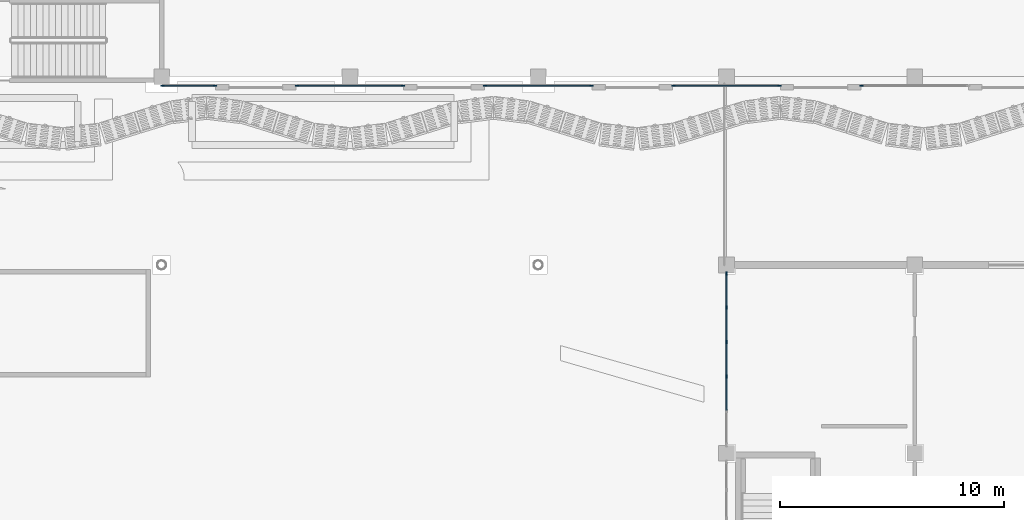
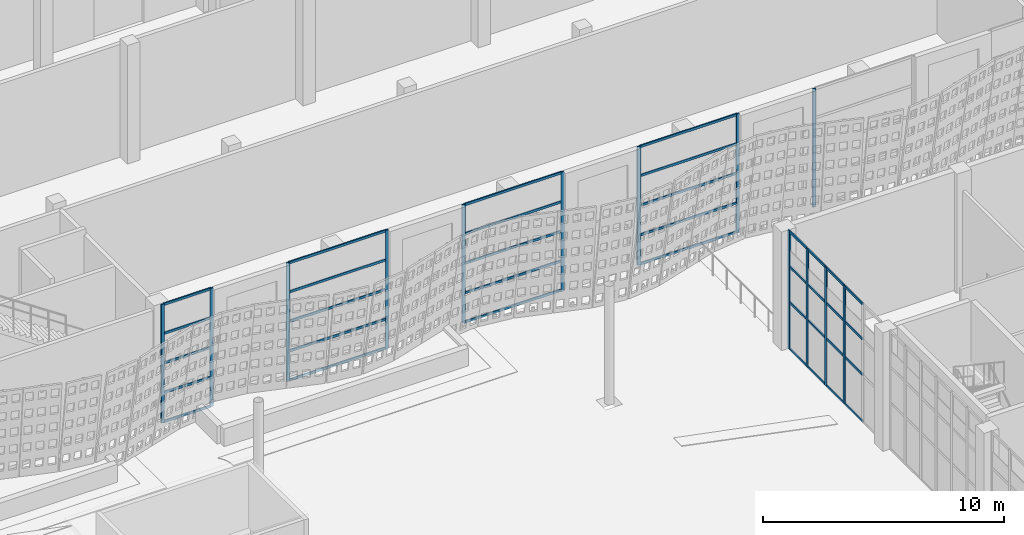
# One storey, part 49 of 210: 49 members, 6 elements without a shape of their own.
"""IFC4 building model written with IfcOpenShell, lengths in metres."""

from ifc_helpers import new_model, si_unit, direction, frame, origin, origin_2d, place, context, subcontext, project, spatial, rectangle, extrude, material, layer, layer_set, material_profile, profile_set, type_object, element, aggregate, save


model = new_model("IFC4")

# Units and contexts
model_context = context("Model", 3, precision=1e-05, world=origin(), true_north=direction((0.0, 1.0)))
body_context = subcontext(model_context, "Body", "Model", "MODEL_VIEW")
ifc_project = project(units=[si_unit("LENGTHUNIT", "METRE"), si_unit("AREAUNIT", "SQUARE_METRE"), si_unit("VOLUMEUNIT", "CUBIC_METRE"), si_unit("PLANEANGLEUNIT", "RADIAN"), si_unit("MASSUNIT", "GRAM", prefix="KILO")], contexts=[model_context])

# Site, building, storey
site_placement = place(None, origin())
site = spatial("IfcSite", under=ifc_project, at=site_placement, CompositionType="ELEMENT")
building_placement = place(site_placement, origin())
building = spatial("IfcBuilding", under=site, at=building_placement, Name="Rain Tree Exposition and Congress Centre", CompositionType="ELEMENT")
storey_placement = place(building_placement, origin())
storey = spatial("IfcBuildingStorey", under=building, at=storey_placement, Name="L00", CompositionType="ELEMENT", Elevation=0.0)

# Curtain wall, members
ifc_material_1 = material(Name="Aluminium curtain wall system", Category="aluminium")
ifc_layer_1 = layer(ifc_material_1, 0.10009765625)
ifc_layer_set_1 = layer_set([ifc_layer_1], Name="Aluminium curtain wall system")
curtain_wall_type_1 = type_object("IfcCurtainWallType", Name="Concourse curtain wall 4200 module", PredefinedType="NOTDEFINED", material=ifc_layer_set_1)
curtain_wall_1_placement = place(storey_placement, origin())
curtain_wall_1 = element("IfcCurtainWall", 1, at=curtain_wall_1_placement, inside=storey, type_object=curtain_wall_type_1, Name="Concourse curtain wall CWC10", PredefinedType="NOTDEFINED")
ifc_material_2 = material(Name="Aluminium mullion", Category="aluminium")
ifc_material_profile_1 = material_profile(ifc_material_2, rectangle(XDim=0.06005859375, YDim=0.159912109375, at=origin_2d()), Name="AL 60x160")
ifc_profile_set_1 = profile_set([ifc_material_profile_1], Name="Aluminium mullion")
member_type_1 = type_object("IfcMemberType", Name="Concourse curtain wall mullion 60x160", PredefinedType="MULLION", material=ifc_profile_set_1)
member_1_placement = place(storey_placement, frame((126.030029296875, 75.199951171875, 0.0), z_axis=(0.0, 0.0, 1.0), x_axis=(0.0, 1.0, 0.0)))
member_1 = element("IfcMember", 2, at=member_1_placement, type_object=member_type_1, Name="CWC10 mullion 1", PredefinedType="MULLION", context=body_context, shape_type="SweptSolid", body=[
    extrude(rectangle(XDim=0.06005859375, YDim=0.159912109375, at=origin_2d()), origin(), (0.0, 0.0, 1.0), 6.0),
])
member_2_placement = place(storey_placement, frame((128.3701171875, 75.199951171875, 0.0), z_axis=(0.0, 0.0, 1.0), x_axis=(0.0, 1.0, 0.0)))
member_2 = element("IfcMember", 3, at=member_2_placement, type_object=member_type_1, Name="CWC10 mullion 2", PredefinedType="MULLION", context=body_context, shape_type="SweptSolid", body=[
    extrude(rectangle(XDim=0.06005859375, YDim=0.159912109375, at=origin_2d()), origin(), (0.0, 0.0, 1.0), 6.0),
])

curtain_wall_2_placement = place(storey_placement, origin())
curtain_wall_2 = element("IfcCurtainWall", 4, at=curtain_wall_2_placement, inside=storey, type_object=curtain_wall_type_1, Name="Concourse curtain wall CWC11", PredefinedType="NOTDEFINED")
member_3_placement = place(storey_placement, frame((132.030029296875, 75.199951171875, 0.0), z_axis=(0.0, 0.0, 1.0), x_axis=(0.0, 1.0, 0.0)))
member_3 = element("IfcMember", 5, at=member_3_placement, type_object=member_type_1, Name="CWC11 mullion 1", PredefinedType="MULLION", context=body_context, shape_type="SweptSolid", body=[
    extrude(rectangle(XDim=0.06005859375, YDim=0.159912109375, at=origin_2d()), origin(), (0.0, 0.0, 1.0), 6.0),
])
member_4_placement = place(storey_placement, frame((136.77001953125, 75.199951171875, 0.0), z_axis=(0.0, 0.0, 1.0), x_axis=(0.0, 1.0, 0.0)))
member_4 = element("IfcMember", 6, at=member_4_placement, type_object=member_type_1, Name="CWC11 mullion 2", PredefinedType="MULLION", context=body_context, shape_type="SweptSolid", body=[
    extrude(rectangle(XDim=0.06005859375, YDim=0.159912109375, at=origin_2d()), origin(), (0.0, 0.0, 1.0), 6.0),
])

curtain_wall_3_placement = place(storey_placement, origin())
curtain_wall_3 = element("IfcCurtainWall", 7, at=curtain_wall_3_placement, inside=storey, type_object=curtain_wall_type_1, Name="Concourse curtain wall CWC12", PredefinedType="NOTDEFINED")
member_5_placement = place(storey_placement, frame((140.429931640625, 75.199951171875, 0.0), z_axis=(0.0, 0.0, 1.0), x_axis=(0.0, 1.0, 0.0)))
member_5 = element("IfcMember", 8, at=member_5_placement, type_object=member_type_1, Name="CWC12 mullion 1", PredefinedType="MULLION", context=body_context, shape_type="SweptSolid", body=[
    extrude(rectangle(XDim=0.06005859375, YDim=0.159912109375, at=origin_2d()), origin(), (0.0, 0.0, 1.0), 6.0),
])
member_6_placement = place(storey_placement, frame((145.169921875, 75.199951171875, 0.0), z_axis=(0.0, 0.0, 1.0), x_axis=(0.0, 1.0, 0.0)))
member_6 = element("IfcMember", 9, at=member_6_placement, type_object=member_type_1, Name="CWC12 mullion 2", PredefinedType="MULLION", context=body_context, shape_type="SweptSolid", body=[
    extrude(rectangle(XDim=0.06005859375, YDim=0.159912109375, at=origin_2d()), origin(), (0.0, 0.0, 1.0), 6.0),
])

curtain_wall_4_placement = place(storey_placement, origin())
curtain_wall_4 = element("IfcCurtainWall", 10, at=curtain_wall_4_placement, inside=storey, type_object=curtain_wall_type_1, Name="Concourse curtain wall CWC13", PredefinedType="NOTDEFINED")
member_7_placement = place(storey_placement, frame((148.830078125, 75.199951171875, 0.0), z_axis=(0.0, 0.0, 1.0), x_axis=(0.0, 1.0, 0.0)))
member_7 = element("IfcMember", 11, at=member_7_placement, type_object=member_type_1, Name="CWC13 mullion 1", PredefinedType="MULLION", context=body_context, shape_type="SweptSolid", body=[
    extrude(rectangle(XDim=0.06005859375, YDim=0.159912109375, at=origin_2d()), origin(), (0.0, 0.0, 1.0), 6.0),
])
member_8_placement = place(storey_placement, frame((153.570068359375, 75.199951171875, 0.0), z_axis=(0.0, 0.0, 1.0), x_axis=(0.0, 1.0, 0.0)))
member_8 = element("IfcMember", 12, at=member_8_placement, type_object=member_type_1, Name="CWC13 mullion 2", PredefinedType="MULLION", context=body_context, shape_type="SweptSolid", body=[
    extrude(rectangle(XDim=0.06005859375, YDim=0.159912109375, at=origin_2d()), origin(), (0.0, 0.0, 1.0), 6.0),
])

# Curtain wall, member
curtain_wall_5_placement = place(storey_placement, origin())
curtain_wall_5 = element("IfcCurtainWall", 13, at=curtain_wall_5_placement, inside=storey, type_object=curtain_wall_type_1, Name="Concourse curtain wall CWC14", PredefinedType="NOTDEFINED")
member_9_placement = place(storey_placement, frame((157.22998046875, 75.199951171875, 0.0), z_axis=(0.0, 0.0, 1.0), x_axis=(0.0, 1.0, 0.0)))
member_9 = element("IfcMember", 14, at=member_9_placement, type_object=member_type_1, Name="CWC14 mullion 1", PredefinedType="MULLION", context=body_context, shape_type="SweptSolid", body=[
    extrude(rectangle(XDim=0.06005859375, YDim=0.159912109375, at=origin_2d()), origin(), (0.0, 0.0, 1.0), 6.0),
])
aggregate(curtain_wall_5, [member_9])

# Member
ifc_material_3 = material(Name="Aluminium transom", Category="aluminium")
ifc_material_profile_2 = material_profile(ifc_material_3, rectangle(XDim=0.06005859375, YDim=0.1201171875, at=origin_2d()), Name="AL 60x120")
ifc_profile_set_2 = profile_set([ifc_material_profile_2], Name="Aluminium transom")
member_type_2 = type_object("IfcMemberType", Name="Concourse curtain wall transom 60x120", PredefinedType="USERDEFINED", material=ifc_profile_set_2)
member_10_placement = place(storey_placement, frame((126.06005859375, 75.199951171875, 0.030029296875), z_axis=(1.0, 0.0, 0.0), x_axis=(0.0, 1.0, 0.0)))
member_10 = element("IfcMember", 15, at=member_10_placement, type_object=member_type_2, Name="CWC10 transom 1.1", ObjectType="TRANSOM", PredefinedType="USERDEFINED", context=body_context, shape_type="SweptSolid", body=[
    extrude(rectangle(XDim=0.06005859375, YDim=0.1201171875, at=origin_2d()), origin(), (0.0, 0.0, 1.0), 2.280029296875),
])

member_11_placement = place(storey_placement, frame((126.06005859375, 75.199951171875, 1.5), z_axis=(1.0, 0.0, 0.0), x_axis=(0.0, 1.0, 0.0)))
member_11 = element("IfcMember", 16, at=member_11_placement, type_object=member_type_2, Name="CWC10 transom 1.2", ObjectType="TRANSOM", PredefinedType="USERDEFINED", context=body_context, shape_type="SweptSolid", body=[
    extrude(rectangle(XDim=0.06005859375, YDim=0.1201171875, at=origin_2d()), origin(), (0.0, 0.0, 1.0), 2.280029296875),
])

member_12_placement = place(storey_placement, frame((126.06005859375, 75.199951171875, 3.0), z_axis=(1.0, 0.0, 0.0), x_axis=(0.0, 1.0, 0.0)))
member_12 = element("IfcMember", 17, at=member_12_placement, type_object=member_type_2, Name="CWC10 transom 1.3", ObjectType="TRANSOM", PredefinedType="USERDEFINED", context=body_context, shape_type="SweptSolid", body=[
    extrude(rectangle(XDim=0.06005859375, YDim=0.1201171875, at=origin_2d()), origin(), (0.0, 0.0, 1.0), 2.280029296875),
])

member_13_placement = place(storey_placement, frame((126.06005859375, 75.199951171875, 4.5), z_axis=(1.0, 0.0, 0.0), x_axis=(0.0, 1.0, 0.0)))
member_13 = element("IfcMember", 18, at=member_13_placement, type_object=member_type_2, Name="CWC10 transom 1.4", ObjectType="TRANSOM", PredefinedType="USERDEFINED", context=body_context, shape_type="SweptSolid", body=[
    extrude(rectangle(XDim=0.06005859375, YDim=0.1201171875, at=origin_2d()), origin(), (0.0, 0.0, 1.0), 2.280029296875),
])

member_14_placement = place(storey_placement, frame((126.06005859375, 75.199951171875, 5.969970703125), z_axis=(1.0, 0.0, 0.0), x_axis=(0.0, 1.0, 0.0)))
member_14 = element("IfcMember", 19, at=member_14_placement, type_object=member_type_2, Name="CWC10 transom 1.5", ObjectType="TRANSOM", PredefinedType="USERDEFINED", context=body_context, shape_type="SweptSolid", body=[
    extrude(rectangle(XDim=0.06005859375, YDim=0.1201171875, at=origin_2d()), origin(), (0.0, 0.0, 1.0), 2.280029296875),
])

aggregate(curtain_wall_1, [member_1, member_2, member_10, member_11, member_12, member_13, member_14])

member_15_placement = place(storey_placement, frame((132.06005859375, 75.199951171875, 0.030029296875), z_axis=(1.0, 0.0, 0.0), x_axis=(0.0, 1.0, 0.0)))
member_15 = element("IfcMember", 20, at=member_15_placement, type_object=member_type_2, Name="CWC11 transom 1.1", ObjectType="TRANSOM", PredefinedType="USERDEFINED", context=body_context, shape_type="SweptSolid", body=[
    extrude(rectangle(XDim=0.06005859375, YDim=0.1201171875, at=origin_2d()), origin(), (0.0, 0.0, 1.0), 4.679931640625),
])

member_16_placement = place(storey_placement, frame((132.06005859375, 75.199951171875, 1.5), z_axis=(1.0, 0.0, 0.0), x_axis=(0.0, 1.0, 0.0)))
member_16 = element("IfcMember", 21, at=member_16_placement, type_object=member_type_2, Name="CWC11 transom 1.2", ObjectType="TRANSOM", PredefinedType="USERDEFINED", context=body_context, shape_type="SweptSolid", body=[
    extrude(rectangle(XDim=0.06005859375, YDim=0.1201171875, at=origin_2d()), origin(), (0.0, 0.0, 1.0), 4.679931640625),
])

member_17_placement = place(storey_placement, frame((132.06005859375, 75.199951171875, 3.0), z_axis=(1.0, 0.0, 0.0), x_axis=(0.0, 1.0, 0.0)))
member_17 = element("IfcMember", 22, at=member_17_placement, type_object=member_type_2, Name="CWC11 transom 1.3", ObjectType="TRANSOM", PredefinedType="USERDEFINED", context=body_context, shape_type="SweptSolid", body=[
    extrude(rectangle(XDim=0.06005859375, YDim=0.1201171875, at=origin_2d()), origin(), (0.0, 0.0, 1.0), 4.679931640625),
])

member_18_placement = place(storey_placement, frame((132.06005859375, 75.199951171875, 4.5), z_axis=(1.0, 0.0, 0.0), x_axis=(0.0, 1.0, 0.0)))
member_18 = element("IfcMember", 23, at=member_18_placement, type_object=member_type_2, Name="CWC11 transom 1.4", ObjectType="TRANSOM", PredefinedType="USERDEFINED", context=body_context, shape_type="SweptSolid", body=[
    extrude(rectangle(XDim=0.06005859375, YDim=0.1201171875, at=origin_2d()), origin(), (0.0, 0.0, 1.0), 4.679931640625),
])

member_19_placement = place(storey_placement, frame((132.06005859375, 75.199951171875, 5.969970703125), z_axis=(1.0, 0.0, 0.0), x_axis=(0.0, 1.0, 0.0)))
member_19 = element("IfcMember", 24, at=member_19_placement, type_object=member_type_2, Name="CWC11 transom 1.5", ObjectType="TRANSOM", PredefinedType="USERDEFINED", context=body_context, shape_type="SweptSolid", body=[
    extrude(rectangle(XDim=0.06005859375, YDim=0.1201171875, at=origin_2d()), origin(), (0.0, 0.0, 1.0), 4.679931640625),
])

aggregate(curtain_wall_2, [member_3, member_4, member_15, member_16, member_17, member_18, member_19])

member_20_placement = place(storey_placement, frame((140.4599609375, 75.199951171875, 0.030029296875), z_axis=(1.0, 0.0, 0.0), x_axis=(0.0, 1.0, 0.0)))
member_20 = element("IfcMember", 25, at=member_20_placement, type_object=member_type_2, Name="CWC12 transom 1.1", ObjectType="TRANSOM", PredefinedType="USERDEFINED", context=body_context, shape_type="SweptSolid", body=[
    extrude(rectangle(XDim=0.06005859375, YDim=0.1201171875, at=origin_2d()), origin(), (0.0, 0.0, 1.0), 4.679931640625),
])

member_21_placement = place(storey_placement, frame((140.4599609375, 75.199951171875, 1.5), z_axis=(1.0, 0.0, 0.0), x_axis=(0.0, 1.0, 0.0)))
member_21 = element("IfcMember", 26, at=member_21_placement, type_object=member_type_2, Name="CWC12 transom 1.2", ObjectType="TRANSOM", PredefinedType="USERDEFINED", context=body_context, shape_type="SweptSolid", body=[
    extrude(rectangle(XDim=0.06005859375, YDim=0.1201171875, at=origin_2d()), origin(), (0.0, 0.0, 1.0), 4.679931640625),
])

member_22_placement = place(storey_placement, frame((140.4599609375, 75.199951171875, 3.0), z_axis=(1.0, 0.0, 0.0), x_axis=(0.0, 1.0, 0.0)))
member_22 = element("IfcMember", 27, at=member_22_placement, type_object=member_type_2, Name="CWC12 transom 1.3", ObjectType="TRANSOM", PredefinedType="USERDEFINED", context=body_context, shape_type="SweptSolid", body=[
    extrude(rectangle(XDim=0.06005859375, YDim=0.1201171875, at=origin_2d()), origin(), (0.0, 0.0, 1.0), 4.679931640625),
])

member_23_placement = place(storey_placement, frame((140.4599609375, 75.199951171875, 4.5), z_axis=(1.0, 0.0, 0.0), x_axis=(0.0, 1.0, 0.0)))
member_23 = element("IfcMember", 28, at=member_23_placement, type_object=member_type_2, Name="CWC12 transom 1.4", ObjectType="TRANSOM", PredefinedType="USERDEFINED", context=body_context, shape_type="SweptSolid", body=[
    extrude(rectangle(XDim=0.06005859375, YDim=0.1201171875, at=origin_2d()), origin(), (0.0, 0.0, 1.0), 4.679931640625),
])

member_24_placement = place(storey_placement, frame((140.4599609375, 75.199951171875, 5.969970703125), z_axis=(1.0, 0.0, 0.0), x_axis=(0.0, 1.0, 0.0)))
member_24 = element("IfcMember", 29, at=member_24_placement, type_object=member_type_2, Name="CWC12 transom 1.5", ObjectType="TRANSOM", PredefinedType="USERDEFINED", context=body_context, shape_type="SweptSolid", body=[
    extrude(rectangle(XDim=0.06005859375, YDim=0.1201171875, at=origin_2d()), origin(), (0.0, 0.0, 1.0), 4.679931640625),
])

aggregate(curtain_wall_3, [member_5, member_6, member_20, member_21, member_22, member_23, member_24])

member_25_placement = place(storey_placement, frame((148.860107421875, 75.199951171875, 0.030029296875), z_axis=(1.0, 0.0, 0.0), x_axis=(0.0, 1.0, 0.0)))
member_25 = element("IfcMember", 30, at=member_25_placement, type_object=member_type_2, Name="CWC13 transom 1.1", ObjectType="TRANSOM", PredefinedType="USERDEFINED", context=body_context, shape_type="SweptSolid", body=[
    extrude(rectangle(XDim=0.06005859375, YDim=0.1201171875, at=origin_2d()), origin(), (0.0, 0.0, 1.0), 4.679931640625),
])

member_26_placement = place(storey_placement, frame((148.860107421875, 75.199951171875, 1.5), z_axis=(1.0, 0.0, 0.0), x_axis=(0.0, 1.0, 0.0)))
member_26 = element("IfcMember", 31, at=member_26_placement, type_object=member_type_2, Name="CWC13 transom 1.2", ObjectType="TRANSOM", PredefinedType="USERDEFINED", context=body_context, shape_type="SweptSolid", body=[
    extrude(rectangle(XDim=0.06005859375, YDim=0.1201171875, at=origin_2d()), origin(), (0.0, 0.0, 1.0), 4.679931640625),
])

member_27_placement = place(storey_placement, frame((148.860107421875, 75.199951171875, 3.0), z_axis=(1.0, 0.0, 0.0), x_axis=(0.0, 1.0, 0.0)))
member_27 = element("IfcMember", 32, at=member_27_placement, type_object=member_type_2, Name="CWC13 transom 1.3", ObjectType="TRANSOM", PredefinedType="USERDEFINED", context=body_context, shape_type="SweptSolid", body=[
    extrude(rectangle(XDim=0.06005859375, YDim=0.1201171875, at=origin_2d()), origin(), (0.0, 0.0, 1.0), 4.679931640625),
])

member_28_placement = place(storey_placement, frame((148.860107421875, 75.199951171875, 4.5), z_axis=(1.0, 0.0, 0.0), x_axis=(0.0, 1.0, 0.0)))
member_28 = element("IfcMember", 33, at=member_28_placement, type_object=member_type_2, Name="CWC13 transom 1.4", ObjectType="TRANSOM", PredefinedType="USERDEFINED", context=body_context, shape_type="SweptSolid", body=[
    extrude(rectangle(XDim=0.06005859375, YDim=0.1201171875, at=origin_2d()), origin(), (0.0, 0.0, 1.0), 4.679931640625),
])

member_29_placement = place(storey_placement, frame((148.860107421875, 75.199951171875, 5.969970703125), z_axis=(1.0, 0.0, 0.0), x_axis=(0.0, 1.0, 0.0)))
member_29 = element("IfcMember", 34, at=member_29_placement, type_object=member_type_2, Name="CWC13 transom 1.5", ObjectType="TRANSOM", PredefinedType="USERDEFINED", context=body_context, shape_type="SweptSolid", body=[
    extrude(rectangle(XDim=0.06005859375, YDim=0.1201171875, at=origin_2d()), origin(), (0.0, 0.0, 1.0), 4.679931640625),
])

aggregate(curtain_wall_4, [member_7, member_8, member_25, member_26, member_27, member_28, member_29])

# Curtain wall, members
ifc_material_4 = material(Name="Aluminium", Category="aluminium")
ifc_layer_2 = layer(ifc_material_4, 0.10009765625)
ifc_layer_set_2 = layer_set([ifc_layer_2], Name="Aluminium")
curtain_wall_type_2 = type_object("IfcCurtainWallType", Name="Curtain wall congress", PredefinedType="NOTDEFINED", material=ifc_layer_set_2)
curtain_wall_6_placement = place(storey_placement, origin())
curtain_wall_6 = element("IfcCurtainWall", 35, at=curtain_wall_6_placement, inside=storey, type_object=curtain_wall_type_2, Name="Foyer curtain wall L00 bay 7", PredefinedType="NOTDEFINED")
ifc_material_5 = material(Name="Aluminium", Category="aluminium")
ifc_material_profile_3 = material_profile(ifc_material_5, rectangle(XDim=0.06005859375, YDim=0.159912109375, at=origin_2d()), Name="AL 60x160")
ifc_profile_set_3 = profile_set([ifc_material_profile_3], Name="Aluminium")
member_type_3 = type_object("IfcMemberType", Name="Curtain wall mullion 60x160 congress", PredefinedType="MULLION", material=ifc_profile_set_3)
member_30_placement = place(storey_placement, frame((151.199951171875, 62.22998046875, 0.0), z_axis=(0.0, 0.0, 1.0), x_axis=(-1.0, 0.0, 0.0)))
member_30 = element("IfcMember", 36, at=member_30_placement, type_object=member_type_3, Name="CWG307 mullion 3", PredefinedType="MULLION", context=body_context, shape_type="SweptSolid", body=[
    extrude(rectangle(XDim=0.06005859375, YDim=0.159912109375, at=origin_2d()), origin(), (0.0, 0.0, 1.0), 6.0),
])
member_31_placement = place(storey_placement, frame((151.199951171875, 63.77001953125, 0.0), z_axis=(0.0, 0.0, 1.0), x_axis=(-1.0, 0.0, 0.0)))
member_31 = element("IfcMember", 37, at=member_31_placement, type_object=member_type_3, Name="CWG307 mullion 4", PredefinedType="MULLION", context=body_context, shape_type="SweptSolid", body=[
    extrude(rectangle(XDim=0.06005859375, YDim=0.159912109375, at=origin_2d()), origin(), (0.0, 0.0, 1.0), 6.0),
])
member_32_placement = place(storey_placement, frame((151.199951171875, 65.31005859375, 0.0), z_axis=(0.0, 0.0, 1.0), x_axis=(-1.0, 0.0, 0.0)))
member_32 = element("IfcMember", 38, at=member_32_placement, type_object=member_type_3, Name="CWG307 mullion 5", PredefinedType="MULLION", context=body_context, shape_type="SweptSolid", body=[
    extrude(rectangle(XDim=0.06005859375, YDim=0.159912109375, at=origin_2d()), origin(), (0.0, 0.0, 1.0), 6.0),
])
member_33_placement = place(storey_placement, frame((151.199951171875, 66.820068359375, 0.0), z_axis=(0.0, 0.0, 1.0), x_axis=(-1.0, 0.0, 0.0)))
member_33 = element("IfcMember", 39, at=member_33_placement, type_object=member_type_3, Name="CWG307 mullion 6", PredefinedType="MULLION", context=body_context, shape_type="SweptSolid", body=[
    extrude(rectangle(XDim=0.06005859375, YDim=0.159912109375, at=origin_2d()), origin(), (0.0, 0.0, 1.0), 6.0),
])
ifc_material_6 = material(Name="Aluminium", Category="aluminium")
ifc_material_profile_4 = material_profile(ifc_material_6, rectangle(XDim=0.06005859375, YDim=0.1201171875, at=origin_2d()), Name="AL 60x120")
ifc_profile_set_4 = profile_set([ifc_material_profile_4], Name="Aluminium")
member_type_4 = type_object("IfcMemberType", Name="Curtain wall transom 60x120 congress", PredefinedType="USERDEFINED", material=ifc_profile_set_4)
member_34_placement = place(storey_placement, frame((151.199951171875, 60.719970703125, 0.030029296875), z_axis=(0.0, 1.0, 0.0), x_axis=(-1.0, 0.0, 0.0)))
member_34 = element("IfcMember", 40, at=member_34_placement, type_object=member_type_4, Name="CWG307 transom 2.1", ObjectType="TRANSOM", PredefinedType="USERDEFINED", context=body_context, shape_type="SweptSolid", body=[
    extrude(rectangle(XDim=0.06005859375, YDim=0.1201171875, at=origin_2d()), origin(), (0.0, 0.0, 1.0), 1.47998046875),
])
member_35_placement = place(storey_placement, frame((151.199951171875, 60.719970703125, 2.39990234375), z_axis=(0.0, 1.0, 0.0), x_axis=(-1.0, 0.0, 0.0)))
member_35 = element("IfcMember", 41, at=member_35_placement, type_object=member_type_4, Name="CWG307 transom 2.2", ObjectType="TRANSOM", PredefinedType="USERDEFINED", context=body_context, shape_type="SweptSolid", body=[
    extrude(rectangle(XDim=0.06005859375, YDim=0.1201171875, at=origin_2d()), origin(), (0.0, 0.0, 1.0), 1.47998046875),
])
member_36_placement = place(storey_placement, frame((151.199951171875, 60.719970703125, 4.199951171875), z_axis=(0.0, 1.0, 0.0), x_axis=(-1.0, 0.0, 0.0)))
member_36 = element("IfcMember", 42, at=member_36_placement, type_object=member_type_4, Name="CWG307 transom 2.3", ObjectType="TRANSOM", PredefinedType="USERDEFINED", context=body_context, shape_type="SweptSolid", body=[
    extrude(rectangle(XDim=0.06005859375, YDim=0.1201171875, at=origin_2d()), origin(), (0.0, 0.0, 1.0), 1.47998046875),
])
member_37_placement = place(storey_placement, frame((151.199951171875, 60.719970703125, 5.969970703125), z_axis=(0.0, 1.0, 0.0), x_axis=(-1.0, 0.0, 0.0)))
member_37 = element("IfcMember", 43, at=member_37_placement, type_object=member_type_4, Name="CWG307 transom 2.4", ObjectType="TRANSOM", PredefinedType="USERDEFINED", context=body_context, shape_type="SweptSolid", body=[
    extrude(rectangle(XDim=0.06005859375, YDim=0.1201171875, at=origin_2d()), origin(), (0.0, 0.0, 1.0), 1.47998046875),
])
member_38_placement = place(storey_placement, frame((151.199951171875, 62.260009765625, 0.030029296875), z_axis=(0.0, 1.0, 0.0), x_axis=(-1.0, 0.0, 0.0)))
member_38 = element("IfcMember", 44, at=member_38_placement, type_object=member_type_4, Name="CWG307 transom 3.1", ObjectType="TRANSOM", PredefinedType="USERDEFINED", context=body_context, shape_type="SweptSolid", body=[
    extrude(rectangle(XDim=0.06005859375, YDim=0.1201171875, at=origin_2d()), origin(), (0.0, 0.0, 1.0), 1.47998046875),
])
member_39_placement = place(storey_placement, frame((151.199951171875, 62.260009765625, 2.39990234375), z_axis=(0.0, 1.0, 0.0), x_axis=(-1.0, 0.0, 0.0)))
member_39 = element("IfcMember", 45, at=member_39_placement, type_object=member_type_4, Name="CWG307 transom 3.2", ObjectType="TRANSOM", PredefinedType="USERDEFINED", context=body_context, shape_type="SweptSolid", body=[
    extrude(rectangle(XDim=0.06005859375, YDim=0.1201171875, at=origin_2d()), origin(), (0.0, 0.0, 1.0), 1.47998046875),
])
member_40_placement = place(storey_placement, frame((151.199951171875, 62.260009765625, 4.199951171875), z_axis=(0.0, 1.0, 0.0), x_axis=(-1.0, 0.0, 0.0)))
member_40 = element("IfcMember", 46, at=member_40_placement, type_object=member_type_4, Name="CWG307 transom 3.3", ObjectType="TRANSOM", PredefinedType="USERDEFINED", context=body_context, shape_type="SweptSolid", body=[
    extrude(rectangle(XDim=0.06005859375, YDim=0.1201171875, at=origin_2d()), origin(), (0.0, 0.0, 1.0), 1.47998046875),
])
member_41_placement = place(storey_placement, frame((151.199951171875, 62.260009765625, 5.969970703125), z_axis=(0.0, 1.0, 0.0), x_axis=(-1.0, 0.0, 0.0)))
member_41 = element("IfcMember", 47, at=member_41_placement, type_object=member_type_4, Name="CWG307 transom 3.4", ObjectType="TRANSOM", PredefinedType="USERDEFINED", context=body_context, shape_type="SweptSolid", body=[
    extrude(rectangle(XDim=0.06005859375, YDim=0.1201171875, at=origin_2d()), origin(), (0.0, 0.0, 1.0), 1.47998046875),
])
member_42_placement = place(storey_placement, frame((151.199951171875, 63.800048828125, 0.030029296875), z_axis=(0.0, 1.0, 0.0), x_axis=(-1.0, 0.0, 0.0)))
member_42 = element("IfcMember", 48, at=member_42_placement, type_object=member_type_4, Name="CWG307 transom 4.1", ObjectType="TRANSOM", PredefinedType="USERDEFINED", context=body_context, shape_type="SweptSolid", body=[
    extrude(rectangle(XDim=0.06005859375, YDim=0.1201171875, at=origin_2d()), origin(), (0.0, 0.0, 1.0), 1.47998046875),
])
member_43_placement = place(storey_placement, frame((151.199951171875, 63.800048828125, 2.39990234375), z_axis=(0.0, 1.0, 0.0), x_axis=(-1.0, 0.0, 0.0)))
member_43 = element("IfcMember", 49, at=member_43_placement, type_object=member_type_4, Name="CWG307 transom 4.2", ObjectType="TRANSOM", PredefinedType="USERDEFINED", context=body_context, shape_type="SweptSolid", body=[
    extrude(rectangle(XDim=0.06005859375, YDim=0.1201171875, at=origin_2d()), origin(), (0.0, 0.0, 1.0), 1.47998046875),
])
member_44_placement = place(storey_placement, frame((151.199951171875, 63.800048828125, 4.199951171875), z_axis=(0.0, 1.0, 0.0), x_axis=(-1.0, 0.0, 0.0)))
member_44 = element("IfcMember", 50, at=member_44_placement, type_object=member_type_4, Name="CWG307 transom 4.3", ObjectType="TRANSOM", PredefinedType="USERDEFINED", context=body_context, shape_type="SweptSolid", body=[
    extrude(rectangle(XDim=0.06005859375, YDim=0.1201171875, at=origin_2d()), origin(), (0.0, 0.0, 1.0), 1.47998046875),
])
member_45_placement = place(storey_placement, frame((151.199951171875, 63.800048828125, 5.969970703125), z_axis=(0.0, 1.0, 0.0), x_axis=(-1.0, 0.0, 0.0)))
member_45 = element("IfcMember", 51, at=member_45_placement, type_object=member_type_4, Name="CWG307 transom 4.4", ObjectType="TRANSOM", PredefinedType="USERDEFINED", context=body_context, shape_type="SweptSolid", body=[
    extrude(rectangle(XDim=0.06005859375, YDim=0.1201171875, at=origin_2d()), origin(), (0.0, 0.0, 1.0), 1.47998046875),
])
member_46_placement = place(storey_placement, frame((151.199951171875, 65.340087890625, 0.030029296875), z_axis=(0.0, 1.0, 0.0), x_axis=(-1.0, 0.0, 0.0)))
member_46 = element("IfcMember", 52, at=member_46_placement, type_object=member_type_4, Name="CWG307 transom 5.1", ObjectType="TRANSOM", PredefinedType="USERDEFINED", context=body_context, shape_type="SweptSolid", body=[
    extrude(rectangle(XDim=0.06005859375, YDim=0.1201171875, at=origin_2d()), origin(), (0.0, 0.0, 1.0), 1.449951171875),
])
member_47_placement = place(storey_placement, frame((151.199951171875, 65.340087890625, 2.39990234375), z_axis=(0.0, 1.0, 0.0), x_axis=(-1.0, 0.0, 0.0)))
member_47 = element("IfcMember", 53, at=member_47_placement, type_object=member_type_4, Name="CWG307 transom 5.2", ObjectType="TRANSOM", PredefinedType="USERDEFINED", context=body_context, shape_type="SweptSolid", body=[
    extrude(rectangle(XDim=0.06005859375, YDim=0.1201171875, at=origin_2d()), origin(), (0.0, 0.0, 1.0), 1.449951171875),
])
member_48_placement = place(storey_placement, frame((151.199951171875, 65.340087890625, 4.199951171875), z_axis=(0.0, 1.0, 0.0), x_axis=(-1.0, 0.0, 0.0)))
member_48 = element("IfcMember", 54, at=member_48_placement, type_object=member_type_4, Name="CWG307 transom 5.3", ObjectType="TRANSOM", PredefinedType="USERDEFINED", context=body_context, shape_type="SweptSolid", body=[
    extrude(rectangle(XDim=0.06005859375, YDim=0.1201171875, at=origin_2d()), origin(), (0.0, 0.0, 1.0), 1.449951171875),
])
member_49_placement = place(storey_placement, frame((151.199951171875, 65.340087890625, 5.969970703125), z_axis=(0.0, 1.0, 0.0), x_axis=(-1.0, 0.0, 0.0)))
member_49 = element("IfcMember", 55, at=member_49_placement, type_object=member_type_4, Name="CWG307 transom 5.4", ObjectType="TRANSOM", PredefinedType="USERDEFINED", context=body_context, shape_type="SweptSolid", body=[
    extrude(rectangle(XDim=0.06005859375, YDim=0.1201171875, at=origin_2d()), origin(), (0.0, 0.0, 1.0), 1.449951171875),
])
aggregate(curtain_wall_6, [member_30, member_31, member_32, member_33, member_34, member_35, member_36, member_37, member_38, member_39, member_40, member_41, member_42, member_43, member_44, member_45, member_46, member_47, member_48, member_49])

save(model, "model.ifc")
